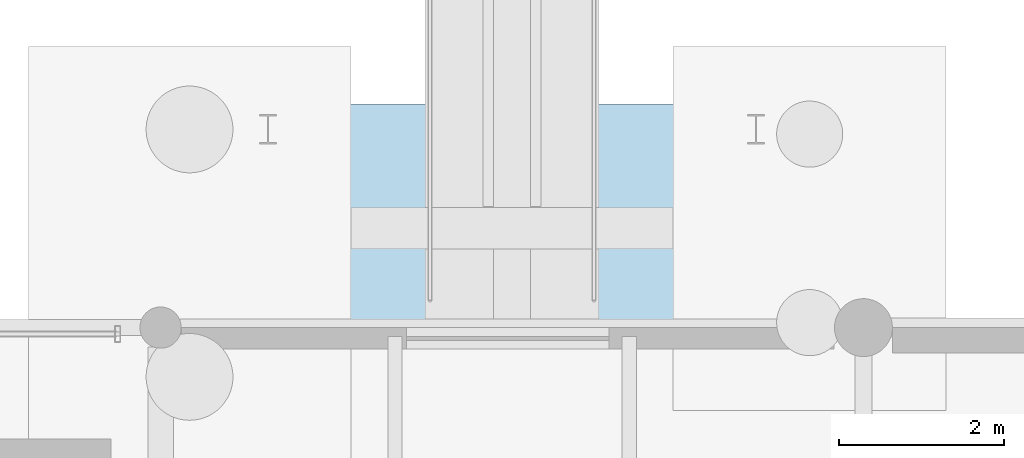
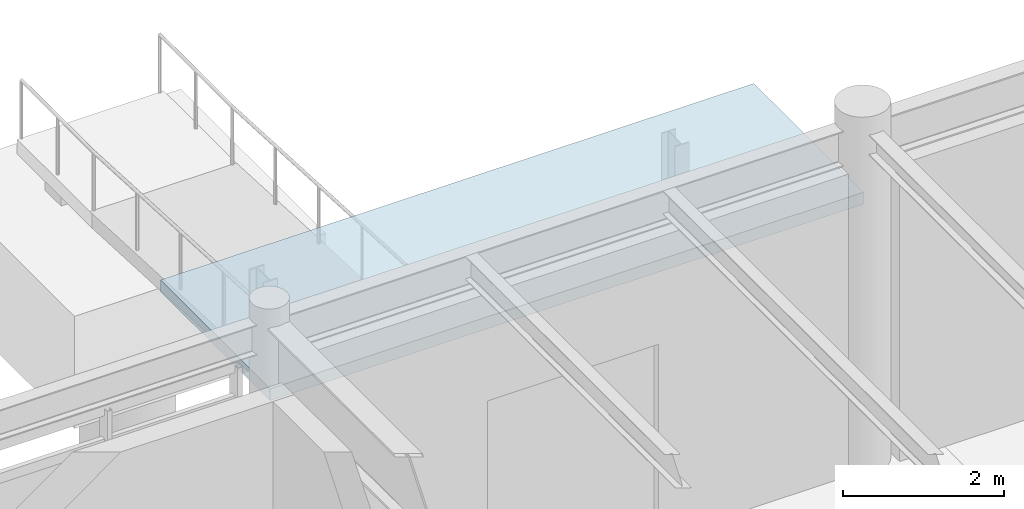
# One storey, part 187 of 203: 1 roof.
"""IFC4 building model written with IfcOpenShell, lengths in metres."""

from ifc_helpers import new_model, si_unit, direction, frame, origin, place, context, subcontext, project, spatial, polyline, outline, extrude, material, layer, layer_set, type_object, element, save


model = new_model("IFC4")

# Units and contexts
model_context = context("Model", 3, precision=1e-05, world=origin(), true_north=direction((0.0, 1.0)))
body_context = subcontext(model_context, "Body", "Model", "MODEL_VIEW")
ifc_project = project(units=[si_unit("LENGTHUNIT", "METRE"), si_unit("AREAUNIT", "SQUARE_METRE"), si_unit("VOLUMEUNIT", "CUBIC_METRE"), si_unit("PLANEANGLEUNIT", "RADIAN"), si_unit("MASSUNIT", "GRAM", prefix="KILO"), si_unit("THERMODYNAMICTEMPERATUREUNIT", "KELVIN"), si_unit("POWERUNIT", "WATT")], contexts=[model_context])

# Site, building, storey
site_placement = place(None, origin())
site = spatial("IfcSite", under=ifc_project, at=site_placement, CompositionType="ELEMENT")
building_placement = place(site_placement, origin())
building = spatial("IfcBuilding", under=site, at=building_placement, Name="Tepalcoro Natatorium and Aquatics Centre", CompositionType="ELEMENT")
storey_placement = place(building_placement, origin())
storey = spatial("IfcBuildingStorey", under=building, at=storey_placement, Name="L00", CompositionType="ELEMENT", Elevation=0.0)

# Roof
ifc_material = material(Name="Bronze-Anodised Extruded Aluminium Alloy EN AW-6063 T6", Category="aluminium")
ifc_layer = layer(ifc_material, 0.179931640625)
ifc_layer_set = layer_set([ifc_layer], Name="Bronze-Anodised Extruded Aluminium Alloy EN AW-6063 T6")
roof_type = type_object("IfcRoofType", Name="RF_CANOPY_FLAT", PredefinedType="FLAT_ROOF", material=ifc_layer_set)
roof_placement = place(storey_placement, frame((0.0, 0.0, 3.85009765625)))
element("IfcRoof", 1, at=roof_placement, inside=storey, type_object=roof_type, Name="Civic Entrance Canopy CN_V5_N1", PredefinedType="FLAT_ROOF", context=body_context, shape_type="SweptSolid", body=[
    extrude(outline(polyline([(142.0, 117.97998046875), (150.5, 117.97998046875), (150.5, 120.699951171875), (142.0, 120.699951171875), (142.0, 117.97998046875)])), origin(), (0.0, 0.0, 1.0), 0.179931640625),
])

save(model, "model.ifc")
